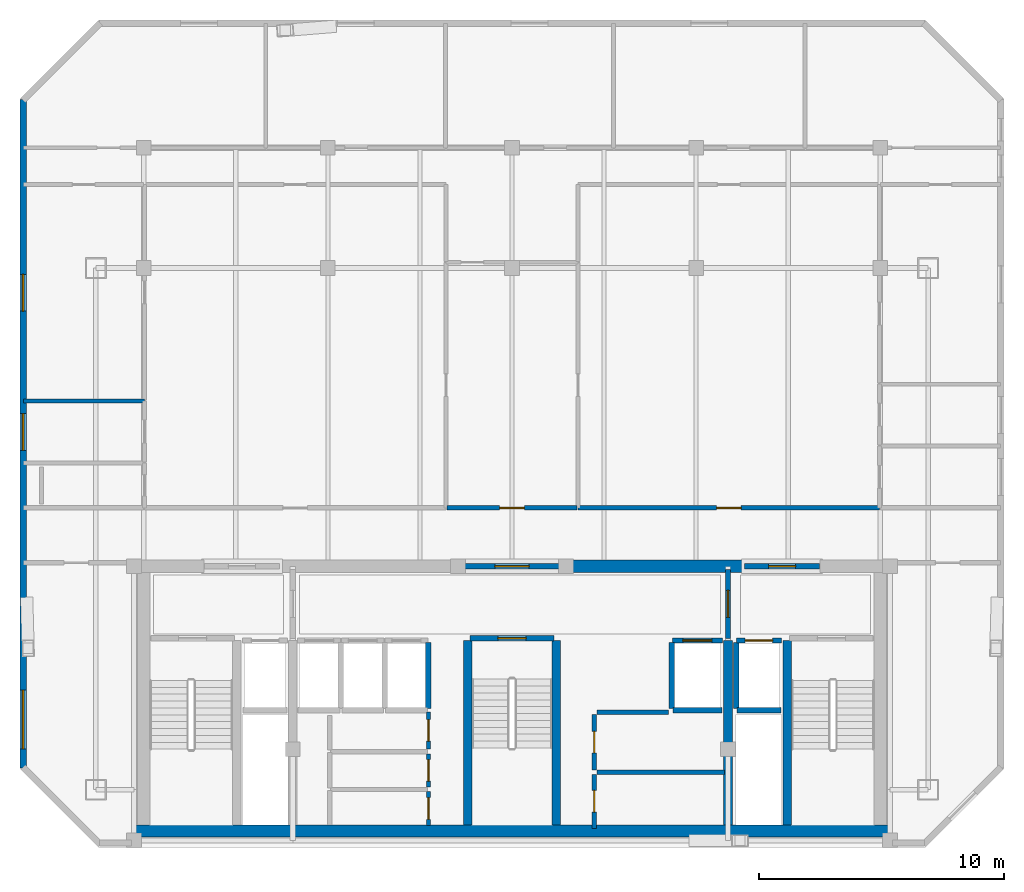
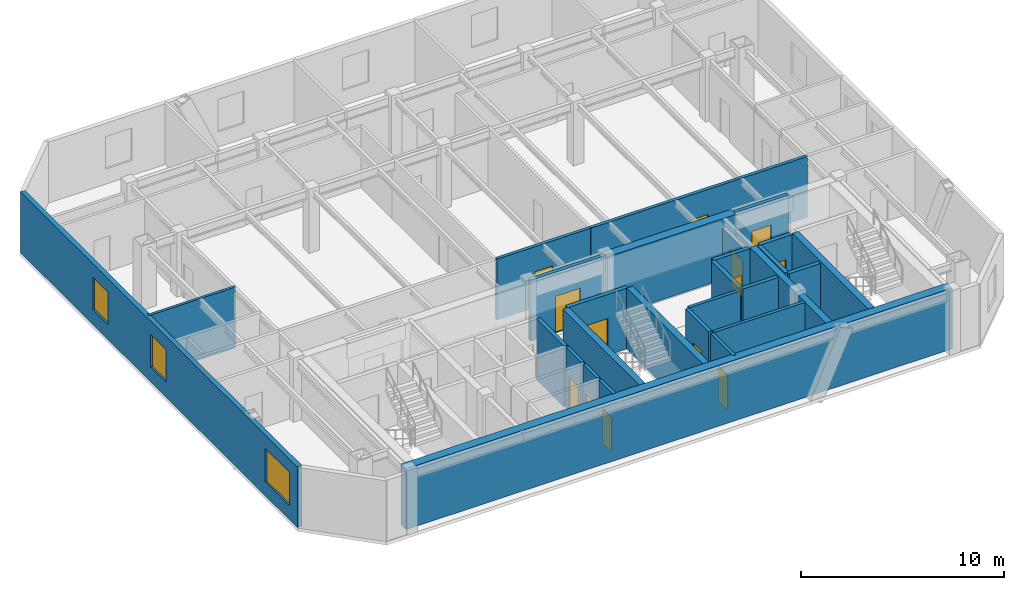
# One storey, part 3 of 6: 28 walls, 13 doors, 3 windows, 16 openings.
"""IFC4 building model written with IfcOpenShell, lengths in metres."""

from ifc_helpers import new_model, si_unit, direction, frame, frame_2d, origin, place, context, subcontext, project, spatial, rectangle, extrude, material, layer, layer_set, type_object, element, fill, save


model = new_model("IFC4")

# Units and contexts
model_context = context("Model", 3, precision=1e-05, world=origin(), true_north=direction((0.0, 1.0)))
body_context = subcontext(model_context, "Body", "Model", "MODEL_VIEW")
ifc_project = project(units=[si_unit("LENGTHUNIT", "METRE"), si_unit("AREAUNIT", "SQUARE_METRE"), si_unit("VOLUMEUNIT", "CUBIC_METRE"), si_unit("PLANEANGLEUNIT", "RADIAN"), si_unit("MASSUNIT", "GRAM", prefix="KILO")], contexts=[model_context])

# Site, building, storey
site_placement = place(None, origin())
site = spatial("IfcSite", under=ifc_project, at=site_placement, CompositionType="ELEMENT")
building_placement = place(site_placement, origin())
building = spatial("IfcBuilding", under=site, at=building_placement, Name="Ventersveld Concourse Tower", CompositionType="ELEMENT")
storey_placement = place(building_placement, frame((0.0, 0.0, 300.300048828125)))
storey = spatial("IfcBuildingStorey", under=building, at=storey_placement, Name="L74", CompositionType="ELEMENT", Elevation=300.300048828125)

# Walls
ifc_material_1 = material(Name="Concrete C50/60", Category="concrete")
ifc_layer_1 = layer(ifc_material_1, 0.35009765625)
ifc_layer_set_1 = layer_set([ifc_layer_1], Name="Concrete C50/60")
wall_type_1 = type_object("IfcWallType", Name="WL-CORE-350U", PredefinedType="SHEAR", material=ifc_layer_set_1)
for number, where, z_axis, x_axis, name in (
    (1, (26.93994140625, 0.919921875, 0.0), (0.0, 0.0, 1.0), (0.0, 1.0, 0.0), "L74 Core Internal Shear Web W-ST3-W"),
    (2, (30.56005859375, 0.919921875, 0.0), (0.0, 0.0, 1.0), (0.0, 1.0, 0.0), "L74 Core Internal Shear Web W-ST3-E"),
    (3, (37.550048828125, 0.919921875, 0.0), (0.0, 0.0, 1.0), (0.0, 1.0, 0.0), "L74 Core Internal Shear Web W-SVL-W"),
    (4, (39.9599609375, 0.919921875, 0.0), (0.0, 0.0, 1.0), (0.0, 1.0, 0.0), "L74 Core Internal Shear Web W-ST2-W"),
):
    element("IfcWall", number, at=place(storey_placement, frame(where, z_axis=z_axis, x_axis=x_axis)), inside=storey, type_object=wall_type_1, Name=name, PredefinedType="SHEAR", context=body_context, shape_type="SweptSolid", body=[
        extrude(rectangle(XDim=7.5, YDim=0.35009765625, at=frame_2d((3.75, 0.0))), origin(), (0.0, 0.0, 1.0), 3.64990234375),
    ])
ifc_layer_2 = layer(ifc_material_1, 0.5)
ifc_layer_set_2 = layer_set([ifc_layer_2], Name="Concrete C50/60")
wall_type_2 = type_object("IfcWallType", Name="WL-CORE-500", PredefinedType="SHEAR", material=ifc_layer_set_2)
wall_1_placement = place(storey_placement, frame((13.25, 0.669921875, 0.0), z_axis=(0.0, 0.0, 1.0), x_axis=(1.0, 0.0, 0.0)))
element("IfcWall", 5, at=wall_1_placement, inside=storey, type_object=wall_type_2, Name="L74 Rear Core South Shear Wall", PredefinedType="SHEAR", context=body_context, shape_type="SweptSolid", body=[
    extrude(rectangle(XDim=31.0, YDim=0.5, at=frame_2d((15.5, 0.0))), origin(), (0.0, 0.0, 1.0), 3.64990234375),
])
wall_2_placement = place(storey_placement, frame((30.89990234375, 11.449951171875, 0.0), z_axis=(0.0, 0.0, 1.0), x_axis=(1.0, 0.0, 0.0)))
element("IfcWall", 6, at=wall_2_placement, inside=storey, type_object=wall_type_2, Name="L74 Rear Core North Shear Wall NMR", PredefinedType="SHEAR", context=body_context, shape_type="SweptSolid", body=[
    extrude(rectangle(XDim=7.300048828125, YDim=0.5, at=frame_2d((3.64990234375, 0.0))), origin(), (0.0, 0.0, 1.0), 3.64990234375),
])

# Wall, opening, door
ifc_material_2 = material(Name="Fire-rated autoclaved aerated masonry blockwork", Category="masonry")
ifc_layer_3 = layer(ifc_material_2, 0.179931640625)
ifc_layer_set_3 = layer_set([ifc_layer_3], Name="Fire-rated autoclaved aerated masonry blockwork")
wall_type_3 = type_object("IfcWallType", Name="WL-CORR-180", PredefinedType="PARTITIONING", material=ifc_layer_set_3)
wall_3_placement = place(storey_placement, frame((25.35009765625, 0.89990234375, 0.0), z_axis=(0.0, 0.0, 1.0), x_axis=(0.0, 1.0, 0.0)))
wall_3 = element("IfcWall", 7, at=wall_3_placement, inside=storey, type_object=wall_type_3, Name="L74 Core Passage Wall SP-L74-RECB1S", PredefinedType="PARTITIONING", context=body_context, shape_type="SweptSolid", body=[
    extrude(rectangle(XDim=1.3701171875, YDim=0.179931640625, at=frame_2d((0.68505859375, 0.0))), origin(), (0.0, 0.0, 1.0), 3.64990234375),
])
opening_1_placement = place(wall_3_placement, frame((0.2451171875, 0.0, 0.0)))
opening_1 = element("IfcOpeningElement", 8, at=opening_1_placement, cuts=wall_3, Name="Opening FD5", PredefinedType="OPENING", context=body_context, shape_type="SweptSolid", body=[
    extrude(rectangle(XDim=0.8798828125, YDim=2.050048828125, at=frame_2d((0.43994140625, 1.02490234375))), frame((0.0, 0.10009765625, 0.0), z_axis=(0.0, -1.0, 0.0), x_axis=(1.0, 0.0, 0.0)), (0.0, 0.0, 1.0), 0.199951171875),
])
ifc_material_3 = material(Name="Galvanised painted steel", Category="steel")
door_type_1 = type_object("IfcDoorType", Name="DR-RISER-088", OperationType="NOTDEFINED", PredefinedType="DOOR", material=ifc_material_3)
door_1_placement = place(opening_1_placement, origin())
door_1 = element("IfcDoor", 9, at=door_1_placement, inside=storey, type_object=door_type_1, Name="L74 Core Room Door L74 Reclaimed Core Wine Cellar Store (CD-L74-3412)", OperationType="SINGLE_SWING_LEFT", OverallHeight=2.050048828125, OverallWidth=0.8798828125, PredefinedType="DOOR", context=body_context, shape_type="SweptSolid", body=[
    extrude(rectangle(XDim=0.8798828125, YDim=2.050048828125, at=frame_2d((0.43994140625, 1.02490234375))), frame((0.0, 0.02490234375, 0.0), z_axis=(0.0, -1.0, 0.0), x_axis=(1.0, 0.0, 0.0)), (0.0, 0.0, 1.0), 0.050048828125),
])
fill(opening_1, door_1)

wall_4_placement = place(storey_placement, frame((25.35009765625, 2.469970703125, 0.0), z_axis=(0.0, 0.0, 1.0), x_axis=(0.0, 1.0, 0.0)))
wall_4 = element("IfcWall", 10, at=wall_4_placement, inside=storey, type_object=wall_type_3, Name="L74 Core Passage Wall SP-L74-RECB1M", PredefinedType="PARTITIONING", context=body_context, shape_type="SweptSolid", body=[
    extrude(rectangle(XDim=1.340087890625, YDim=0.179931640625, at=frame_2d((0.669921875, 0.0))), origin(), (0.0, 0.0, 1.0), 3.64990234375),
])
opening_2_placement = place(wall_4_placement, frame((0.22998046875, 0.0, 0.0)))
opening_2 = element("IfcOpeningElement", 11, at=opening_2_placement, cuts=wall_4, Name="Opening FD5", PredefinedType="OPENING", context=body_context, shape_type="SweptSolid", body=[
    extrude(rectangle(XDim=0.8798828125, YDim=2.050048828125, at=frame_2d((0.43994140625, 1.02490234375))), frame((0.0, 0.10009765625, 0.0), z_axis=(0.0, -1.0, 0.0), x_axis=(1.0, 0.0, 0.0)), (0.0, 0.0, 1.0), 0.199951171875),
])
door_2_placement = place(opening_2_placement, origin())
door_2 = element("IfcDoor", 12, at=door_2_placement, inside=storey, type_object=door_type_1, Name="L74 Core Room Door L74 Reclaimed Core Archive Store (CD-L74-3413)", OperationType="SINGLE_SWING_RIGHT", OverallHeight=2.050048828125, OverallWidth=0.8798828125, PredefinedType="DOOR", context=body_context, shape_type="SweptSolid", body=[
    extrude(rectangle(XDim=0.8798828125, YDim=2.050048828125, at=frame_2d((0.43994140625, 1.02490234375))), frame((0.0, 0.02490234375, 0.0), z_axis=(0.0, -1.0, 0.0), x_axis=(1.0, 0.0, 0.0)), (0.0, 0.0, 1.0), 0.050048828125),
])
fill(opening_2, door_2)

wall_5_placement = place(storey_placement, frame((25.35009765625, 4.010009765625, 0.0), z_axis=(0.0, 0.0, 1.0), x_axis=(0.0, 1.0, 0.0)))
wall_5 = element("IfcWall", 13, at=wall_5_placement, inside=storey, type_object=wall_type_3, Name="L74 Core Passage Wall SP-L74-RECB1N", PredefinedType="PARTITIONING", context=body_context, shape_type="SweptSolid", body=[
    extrude(rectangle(XDim=1.510009765625, YDim=0.179931640625, at=frame_2d((0.7548828125, 0.0))), origin(), (0.0, 0.0, 1.0), 3.64990234375),
])
opening_3_placement = place(wall_5_placement, frame((0.31494140625, 0.0, 0.0)))
opening_3 = element("IfcOpeningElement", 14, at=opening_3_placement, cuts=wall_5, Name="Opening FD5", PredefinedType="OPENING", context=body_context, shape_type="SweptSolid", body=[
    extrude(rectangle(XDim=0.8798828125, YDim=2.050048828125, at=frame_2d((0.43994140625, 1.02490234375))), frame((0.0, 0.10009765625, 0.0), z_axis=(0.0, -1.0, 0.0), x_axis=(1.0, 0.0, 0.0)), (0.0, 0.0, 1.0), 0.199951171875),
])
door_3_placement = place(opening_3_placement, origin())
door_3 = element("IfcDoor", 15, at=door_3_placement, inside=storey, type_object=door_type_1, Name="L74 Core Room Door L74 Reclaimed Core Pram and Cycle Store (CD-L74-3414)", OperationType="SINGLE_SWING_LEFT", OverallHeight=2.050048828125, OverallWidth=0.8798828125, PredefinedType="DOOR", context=body_context, shape_type="SweptSolid", body=[
    extrude(rectangle(XDim=0.8798828125, YDim=2.050048828125, at=frame_2d((0.43994140625, 1.02490234375))), frame((0.0, 0.02490234375, 0.0), z_axis=(0.0, -1.0, 0.0), x_axis=(1.0, 0.0, 0.0)), (0.0, 0.0, 1.0), 0.050048828125),
])
fill(opening_3, door_3)

wall_6_placement = place(storey_placement, frame((32.10009765625, 0.780029296875, 0.0), z_axis=(0.0, 0.0, 1.0), x_axis=(0.0, 1.0, 0.0)))
wall_6 = element("IfcWall", 16, at=wall_6_placement, inside=storey, type_object=wall_type_3, Name="L74 Core Passage Wall SP-L74-RECB2S", PredefinedType="PARTITIONING", context=body_context, shape_type="SweptSolid", body=[
    extrude(rectangle(XDim=2.199951171875, YDim=0.179931640625, at=frame_2d((1.10009765625, 0.0))), origin(), (0.0, 0.0, 1.0), 3.64990234375),
])
opening_4_placement = place(wall_6_placement, frame((0.659912109375, 0.0, 0.0)))
opening_4 = element("IfcOpeningElement", 17, at=opening_4_placement, cuts=wall_6, Name="Opening FD5", PredefinedType="OPENING", context=body_context, shape_type="SweptSolid", body=[
    extrude(rectangle(XDim=0.8798828125, YDim=2.050048828125, at=frame_2d((0.43994140625, 1.02490234375))), frame((0.0, 0.10009765625, 0.0), z_axis=(0.0, -1.0, 0.0), x_axis=(1.0, 0.0, 0.0)), (0.0, 0.0, 1.0), 0.199951171875),
])
door_4_placement = place(opening_4_placement, origin())
door_4 = element("IfcDoor", 18, at=door_4_placement, inside=storey, type_object=door_type_1, Name="L74 Core Room Door L74 Reclaimed Core Quiet Library Pod (CD-L74-3415)", OperationType="SINGLE_SWING_RIGHT", OverallHeight=2.050048828125, OverallWidth=0.8798828125, PredefinedType="DOOR", context=body_context, shape_type="SweptSolid", body=[
    extrude(rectangle(XDim=0.8798828125, YDim=2.050048828125, at=frame_2d((0.43994140625, 1.02490234375))), frame((0.0, 0.02490234375, 0.0), z_axis=(0.0, -1.0, 0.0), x_axis=(1.0, 0.0, 0.0)), (0.0, 0.0, 1.0), 0.050048828125),
])
fill(opening_4, door_4)

# Wall
wall_7_placement = place(storey_placement, frame((32.219970703125, 3.06005859375, 0.0), z_axis=(0.0, 0.0, 1.0), x_axis=(1.0, 0.0, 0.0)))
element("IfcWall", 19, at=wall_7_placement, inside=storey, type_object=wall_type_3, Name="L74 Core Top Wall SP-L74-RECB2S", PredefinedType="PARTITIONING", context=body_context, shape_type="SweptSolid", body=[
    extrude(rectangle(XDim=5.179931640625, YDim=0.179931640625, at=frame_2d((2.58984375, 0.0))), origin(), (0.0, 0.0, 1.0), 3.64990234375),
])

# Wall, opening, door
wall_8_placement = place(storey_placement, frame((32.10009765625, 3.159912109375, 0.0), z_axis=(0.0, 0.0, 1.0), x_axis=(0.0, 1.0, 0.0)))
wall_8 = element("IfcWall", 20, at=wall_8_placement, inside=storey, type_object=wall_type_3, Name="L74 Core Passage Wall SP-L74-RECB2N", PredefinedType="PARTITIONING", context=body_context, shape_type="SweptSolid", body=[
    extrude(rectangle(XDim=2.260009765625, YDim=0.179931640625, at=frame_2d((1.1298828125, 0.0))), origin(), (0.0, 0.0, 1.0), 3.64990234375),
])
opening_5_placement = place(wall_8_placement, frame((0.68994140625, 0.0, 0.0)))
opening_5 = element("IfcOpeningElement", 21, at=opening_5_placement, cuts=wall_8, Name="Opening FD5", PredefinedType="OPENING", context=body_context, shape_type="SweptSolid", body=[
    extrude(rectangle(XDim=0.8798828125, YDim=2.050048828125, at=frame_2d((0.43994140625, 1.02490234375))), frame((0.0, 0.10009765625, 0.0), z_axis=(0.0, -1.0, 0.0), x_axis=(1.0, 0.0, 0.0)), (0.0, 0.0, 1.0), 0.199951171875),
])
door_5_placement = place(opening_5_placement, origin())
door_5 = element("IfcDoor", 22, at=door_5_placement, inside=storey, type_object=door_type_1, Name="L74 Core Room Door L74 Reclaimed Core Music Practice Room (CD-L74-3416)", OperationType="SINGLE_SWING_LEFT", OverallHeight=2.050048828125, OverallWidth=0.8798828125, PredefinedType="DOOR", context=body_context, shape_type="SweptSolid", body=[
    extrude(rectangle(XDim=0.8798828125, YDim=2.050048828125, at=frame_2d((0.43994140625, 1.02490234375))), frame((0.0, 0.02490234375, 0.0), z_axis=(0.0, -1.0, 0.0), x_axis=(1.0, 0.0, 0.0)), (0.0, 0.0, 1.0), 0.050048828125),
])
fill(opening_5, door_5)

# Wall
wall_9_placement = place(storey_placement, frame((32.219970703125, 5.5, 0.0), z_axis=(0.0, 0.0, 1.0), x_axis=(1.0, 0.0, 0.0)))
element("IfcWall", 23, at=wall_9_placement, inside=storey, type_object=wall_type_3, Name="L74 Core Top Wall SP-L74-RECB2N", PredefinedType="PARTITIONING", context=body_context, shape_type="SweptSolid", body=[
    extrude(rectangle(XDim=2.900146484375, YDim=0.179931640625, at=frame_2d((1.4501953125, 0.0))), origin(), (0.0, 0.0, 1.0), 3.64990234375),
])

# Wall, opening, door
wall_10_placement = place(storey_placement, frame((31.43505859375, 13.830078125, 0.0), z_axis=(0.0, 0.0, 1.0), x_axis=(1.0, 0.0, 0.0)))
wall_10 = element("IfcWall", 24, at=wall_10_placement, inside=storey, type_object=wall_type_3, Name="L74 Interior Partition SP-L74-COR-SP-L74-74N1-EGAL1", PredefinedType="PARTITIONING", context=body_context, shape_type="SweptSolid", body=[
    extrude(rectangle(XDim=12.291259765625, YDim=0.179931640625, at=frame_2d((6.1455078125, 0.0))), origin(), (0.0, 0.0, 1.0), 3.64990234375),
])
opening_6_placement = place(wall_10_placement, frame((5.645751953125, 0.0, 0.0)))
opening_6 = element("IfcOpeningElement", 25, at=opening_6_placement, cuts=wall_10, Name="Opening FD3", PredefinedType="OPENING", context=body_context, shape_type="SweptSolid", body=[
    extrude(rectangle(XDim=1.0, YDim=2.14990234375, at=frame_2d((0.5, 1.074951171875))), frame((0.0, 0.10009765625, 0.0), z_axis=(0.0, -1.0, 0.0), x_axis=(1.0, 0.0, 0.0)), (0.0, 0.0, 1.0), 0.199951171875),
])
ifc_material_4 = material(Name="Solid-core hardwood veneer timber", Category="wood")
door_type_2 = type_object("IfcDoorType", Name="DR-FLAT-100", OperationType="NOTDEFINED", PredefinedType="DOOR", material=ifc_material_4)
door_6_placement = place(opening_6_placement, origin())
door_6 = element("IfcDoor", 26, at=door_6_placement, inside=storey, type_object=door_type_2, Name="L74 Interior Door SP-L74-COR to SP-L74-74N1-EGAL1 (FD-L74-3420)", OperationType="SINGLE_SWING_RIGHT", OverallHeight=2.14990234375, OverallWidth=1.0, PredefinedType="DOOR", context=body_context, shape_type="SweptSolid", body=[
    extrude(rectangle(XDim=1.0, YDim=2.14990234375, at=frame_2d((0.5, 1.074951171875))), frame((0.0, 0.02490234375, 0.0), z_axis=(0.0, -1.0, 0.0), x_axis=(1.0, 0.0, 0.0)), (0.0, 0.0, 1.0), 0.050048828125),
])
fill(opening_6, door_6)

wall_11_placement = place(storey_placement, frame((26.094970703125, 13.830078125, 0.0), z_axis=(0.0, 0.0, 1.0), x_axis=(1.0, 0.0, 0.0)))
wall_11 = element("IfcWall", 27, at=wall_11_placement, inside=storey, type_object=wall_type_3, Name="L74 Interior Partition SP-L74-COR-SP-L74-74N1-FOY", PredefinedType="PARTITIONING", context=body_context, shape_type="SweptSolid", body=[
    extrude(rectangle(XDim=5.31005859375, YDim=0.179931640625, at=frame_2d((2.655029296875, 0.0))), origin(), (0.0, 0.0, 1.0), 3.64990234375),
])
opening_7_placement = place(wall_11_placement, frame((2.155029296875, 0.0, 0.0)))
opening_7 = element("IfcOpeningElement", 28, at=opening_7_placement, cuts=wall_11, Name="Opening FD3", PredefinedType="OPENING", context=body_context, shape_type="SweptSolid", body=[
    extrude(rectangle(XDim=1.0, YDim=2.14990234375, at=frame_2d((0.5, 1.074951171875))), frame((0.0, 0.10009765625, 0.0), z_axis=(0.0, -1.0, 0.0), x_axis=(1.0, 0.0, 0.0)), (0.0, 0.0, 1.0), 0.199951171875),
])
door_7_placement = place(opening_7_placement, origin())
door_7 = element("IfcDoor", 29, at=door_7_placement, inside=storey, type_object=door_type_2, Name="L74 Interior Door SP-L74-COR to SP-L74-74N1-FOY (FD-L74-3421)", OperationType="SINGLE_SWING_LEFT", OverallHeight=2.14990234375, OverallWidth=1.0, PredefinedType="DOOR", context=body_context, shape_type="SweptSolid", body=[
    extrude(rectangle(XDim=1.0, YDim=2.14990234375, at=frame_2d((0.5, 1.074951171875))), frame((0.0, 0.02490234375, 0.0), z_axis=(0.0, -1.0, 0.0), x_axis=(1.0, 0.0, 0.0)), (0.0, 0.0, 1.0), 0.050048828125),
])
fill(opening_7, door_7)

# Walls
ifc_layer_4 = layer(ifc_material_2, 0.219970703125)
ifc_layer_set_4 = layer_set([ifc_layer_4], Name="Fire-rated autoclaved aerated masonry blockwork")
wall_type_4 = type_object("IfcWallType", Name="WL-HOIST-220", PredefinedType="SOLIDWALL", material=ifc_layer_set_4)
wall_12_placement = place(storey_placement, frame((37.919921875, 5.590087890625, 0.0), z_axis=(0.0, 0.0, 1.0), x_axis=(1.0, 0.0, 0.0)))
element("IfcWall", 30, at=wall_12_placement, inside=storey, type_object=wall_type_4, Name="L74 Lift Hoistway Back Wall FFL-02", PredefinedType="SOLIDWALL", context=body_context, shape_type="SweptSolid", body=[
    extrude(rectangle(XDim=1.780029296875, YDim=0.219970703125, at=frame_2d((0.89013671875, 0.0))), origin(), (0.0, 0.0, 1.0), 3.64990234375),
])
wall_13_placement = place(storey_placement, frame((37.8798828125, 5.64990234375, 0.0), z_axis=(0.0, 0.0, 1.0), x_axis=(0.0, 1.0, 0.0)))
element("IfcWall", 31, at=wall_13_placement, inside=storey, type_object=wall_type_4, Name="L74 Lift Hoistway Side Wall FFL-02W", PredefinedType="SOLIDWALL", context=body_context, shape_type="SweptSolid", body=[
    extrude(rectangle(XDim=2.7001953125, YDim=0.219970703125, at=frame_2d((1.35009765625, 0.0))), origin(), (0.0, 0.0, 1.0), 3.64990234375),
])

# Wall, opening, door
wall_14_placement = place(storey_placement, frame((37.89990234375, 8.429931640625, 0.0), z_axis=(0.0, 0.0, 1.0), x_axis=(1.0, 0.0, 0.0)))
wall_14 = element("IfcWall", 32, at=wall_14_placement, inside=storey, type_object=wall_type_4, Name="L74 Lift Hoistway Front Wall FFL-02", PredefinedType="SOLIDWALL", context=body_context, shape_type="SweptSolid", body=[
    extrude(rectangle(XDim=1.820068359375, YDim=0.219970703125, at=frame_2d((0.91015625, 0.0))), origin(), (0.0, 0.0, 1.0), 3.64990234375),
])
opening_8_placement = place(wall_14_placement, frame((0.35009765625, 0.0, 0.0)))
opening_8 = element("IfcOpeningElement", 33, at=opening_8_placement, cuts=wall_14, Name="Opening LD1", PredefinedType="OPENING", context=body_context, shape_type="SweptSolid", body=[
    extrude(rectangle(XDim=1.1201171875, YDim=2.25, at=frame_2d((0.56005859375, 1.125))), frame((0.0, 0.1201171875, 0.0), z_axis=(0.0, -1.0, 0.0), x_axis=(1.0, 0.0, 0.0)), (0.0, 0.0, 1.0), 0.239990234375),
])
ifc_material_5 = material(Name="Brushed stainless steel 316", Category="steel")
door_type_3 = type_object("IfcDoorType", Name="LD-FF-112", OperationType="SLIDING_TO_LEFT", PredefinedType="DOOR", material=ifc_material_5)
door_8_placement = place(opening_8_placement, origin())
door_8 = element("IfcDoor", 34, at=door_8_placement, inside=storey, type_object=door_type_3, Name="L74 Lift landing door FFL-02 (LD-L74-FFL-02)", OperationType="SLIDING_TO_LEFT", OverallHeight=2.25, OverallWidth=1.1201171875, PredefinedType="DOOR", context=body_context, shape_type="SweptSolid", body=[
    extrude(rectangle(XDim=1.1201171875, YDim=2.25, at=frame_2d((0.56005859375, 1.125))), frame((0.0, 0.02490234375, 0.0), z_axis=(0.0, -1.0, 0.0), x_axis=(1.0, 0.0, 0.0)), (0.0, 0.0, 1.0), 0.050048828125),
])
fill(opening_8, door_8)

# Walls
wall_15_placement = place(storey_placement, frame((35.300048828125, 5.590087890625, 0.0), z_axis=(0.0, 0.0, 1.0), x_axis=(1.0, 0.0, 0.0)))
element("IfcWall", 35, at=wall_15_placement, inside=storey, type_object=wall_type_4, Name="L74 Lift Hoistway Back Wall SVL-01", PredefinedType="SOLIDWALL", context=body_context, shape_type="SweptSolid", body=[
    extrude(rectangle(XDim=2.0, YDim=0.219970703125, at=frame_2d((1.0, 0.0))), origin(), (0.0, 0.0, 1.0), 3.64990234375),
])
wall_16_placement = place(storey_placement, frame((35.260009765625, 5.64990234375, 0.0), z_axis=(0.0, 0.0, 1.0), x_axis=(0.0, 1.0, 0.0)))
element("IfcWall", 36, at=wall_16_placement, inside=storey, type_object=wall_type_4, Name="L74 Lift Hoistway Side Wall SVL-01W", PredefinedType="SOLIDWALL", context=body_context, shape_type="SweptSolid", body=[
    extrude(rectangle(XDim=2.7001953125, YDim=0.219970703125, at=frame_2d((1.35009765625, 0.0))), origin(), (0.0, 0.0, 1.0), 3.64990234375),
])

# Wall, opening, door
wall_17_placement = place(storey_placement, frame((35.280029296875, 8.429931640625, 0.0), z_axis=(0.0, 0.0, 1.0), x_axis=(1.0, 0.0, 0.0)))
wall_17 = element("IfcWall", 37, at=wall_17_placement, inside=storey, type_object=wall_type_4, Name="L74 Lift Hoistway Front Wall SVL-01", PredefinedType="SOLIDWALL", context=body_context, shape_type="SweptSolid", body=[
    extrude(rectangle(XDim=2.0400390625, YDim=0.219970703125, at=frame_2d((1.02001953125, 0.0))), origin(), (0.0, 0.0, 1.0), 3.64990234375),
])
opening_9_placement = place(wall_17_placement, frame((0.429931640625, 0.0, 0.0)))
opening_9 = element("IfcOpeningElement", 38, at=opening_9_placement, cuts=wall_17, Name="Opening LD2", PredefinedType="OPENING", context=body_context, shape_type="SweptSolid", body=[
    extrude(rectangle(XDim=1.179931640625, YDim=2.199951171875, at=frame_2d((0.58984375, 1.10009765625))), frame((0.0, 0.1201171875, 0.0), z_axis=(0.0, -1.0, 0.0), x_axis=(1.0, 0.0, 0.0)), (0.0, 0.0, 1.0), 0.239990234375),
])
door_type_4 = type_object("IfcDoorType", Name="LD-PAX-118", OperationType="SLIDING_TO_LEFT", PredefinedType="DOOR", material=ifc_material_5)
door_9_placement = place(opening_9_placement, origin())
door_9 = element("IfcDoor", 39, at=door_9_placement, inside=storey, type_object=door_type_4, Name="L74 Lift landing door SVL-01 (LD-L74-SVL-01)", OperationType="SLIDING_TO_RIGHT", OverallHeight=2.199951171875, OverallWidth=1.179931640625, PredefinedType="DOOR", context=body_context, shape_type="SweptSolid", body=[
    extrude(rectangle(XDim=1.179931640625, YDim=2.199951171875, at=frame_2d((0.58984375, 1.10009765625))), frame((0.0, 0.02490234375, 0.0), z_axis=(0.0, -1.0, 0.0), x_axis=(1.0, 0.0, 0.0)), (0.0, 0.0, 1.0), 0.050048828125),
])
fill(opening_9, door_9)

# Wall
wall_18_placement = place(storey_placement, frame((25.340087890625, 5.64990234375, 0.0), z_axis=(0.0, 0.0, 1.0), x_axis=(0.0, 1.0, 0.0)))
element("IfcWall", 40, at=wall_18_placement, inside=storey, type_object=wall_type_4, Name="L74 Lift Hoistway Side Wall PH-03E", PredefinedType="SOLIDWALL", context=body_context, shape_type="SweptSolid", body=[
    extrude(rectangle(XDim=2.7001953125, YDim=0.219970703125, at=frame_2d((1.35009765625, 0.0))), origin(), (0.0, 0.0, 1.0), 3.64990234375),
])

# Wall, opening, door
wall_19_placement = place(storey_placement, frame((27.0400390625, 8.52001953125, 0.0), z_axis=(0.0, 0.0, 1.0), x_axis=(1.0, 0.0, 0.0)))
wall_19 = element("IfcWall", 41, at=wall_19_placement, inside=storey, type_object=wall_type_4, Name="L74 Escape Stair ST03 Fire Wall", PredefinedType="SOLIDWALL", context=body_context, shape_type="SweptSolid", body=[
    extrude(rectangle(XDim=3.419921875, YDim=0.219970703125, at=frame_2d((1.7099609375, 0.0))), origin(), (0.0, 0.0, 1.0), 3.64990234375),
])
opening_10_placement = place(wall_19_placement, frame((1.135009765625, 0.0, 0.0)))
opening_10 = element("IfcOpeningElement", 42, at=opening_10_placement, cuts=wall_19, Name="Opening FD1", PredefinedType="OPENING", context=body_context, shape_type="SweptSolid", body=[
    extrude(rectangle(XDim=1.14990234375, YDim=2.199951171875, at=frame_2d((0.574951171875, 1.10009765625))), frame((0.0, 0.1201171875, 0.0), z_axis=(0.0, -1.0, 0.0), x_axis=(1.0, 0.0, 0.0)), (0.0, 0.0, 1.0), 0.239990234375),
])
door_type_5 = type_object("IfcDoorType", Name="DR-STAIR-115", OperationType="NOTDEFINED", PredefinedType="DOOR", material=ifc_material_3)
door_10_placement = place(opening_10_placement, origin())
door_10 = element("IfcDoor", 43, at=door_10_placement, inside=storey, type_object=door_type_5, Name="L74 Escape Stair Door ST03 (SD-L74-3406)", OperationType="SINGLE_SWING_LEFT", OverallHeight=2.199951171875, OverallWidth=1.14990234375, PredefinedType="DOOR", context=body_context, shape_type="SweptSolid", body=[
    extrude(rectangle(XDim=1.14990234375, YDim=2.199951171875, at=frame_2d((0.574951171875, 1.10009765625))), frame((0.0, 0.02490234375, 0.0), z_axis=(0.0, -1.0, 0.0), x_axis=(1.0, 0.0, 0.0)), (0.0, 0.0, 1.0), 0.050048828125),
])
fill(opening_10, door_10)

wall_20_placement = place(storey_placement, frame((37.550048828125, 8.52001953125, 0.0), z_axis=(0.0, 0.0, 1.0), x_axis=(0.0, 1.0, 0.0)))
wall_20 = element("IfcWall", 44, at=wall_20_placement, inside=storey, type_object=wall_type_4, Name="L74 Firefighting Lobby Smoke-Stop Wall FFLE-SEP", PredefinedType="SOLIDWALL", context=body_context, shape_type="SweptSolid", body=[
    extrude(rectangle(XDim=2.800048828125, YDim=0.219970703125, at=frame_2d((1.39990234375, 0.0))), origin(), (0.0, 0.0, 1.0), 3.10546875),
])
opening_11_placement = place(wall_20_placement, frame((0.85009765625, 0.0, 0.0)))
opening_11 = element("IfcOpeningElement", 45, at=opening_11_placement, cuts=wall_20, Name="Opening FD2", PredefinedType="OPENING", context=body_context, shape_type="SweptSolid", body=[
    extrude(rectangle(XDim=1.10009765625, YDim=2.199951171875, at=frame_2d((0.550048828125, 1.10009765625))), frame((0.0, 0.1201171875, 0.0), z_axis=(0.0, -1.0, 0.0), x_axis=(1.0, 0.0, 0.0)), (0.0, 0.0, 1.0), 0.239990234375),
])
door_type_6 = type_object("IfcDoorType", Name="DR-FFL-110", OperationType="NOTDEFINED", PredefinedType="DOOR", material=ifc_material_3)
door_11_placement = place(opening_11_placement, origin())
door_11 = element("IfcDoor", 46, at=door_11_placement, inside=storey, type_object=door_type_6, Name="L74 Firefighting Lobby Door FFLE-SEP (FD-L74-3408)", OperationType="SINGLE_SWING_RIGHT", OverallHeight=2.199951171875, OverallWidth=1.10009765625, PredefinedType="DOOR", context=body_context, shape_type="SweptSolid", body=[
    extrude(rectangle(XDim=1.10009765625, YDim=2.199951171875, at=frame_2d((0.550048828125, 1.10009765625))), frame((0.0, 0.02490234375, 0.0), z_axis=(0.0, -1.0, 0.0), x_axis=(1.0, 0.0, 0.0)), (0.0, 0.0, 1.0), 0.050048828125),
])
fill(opening_11, door_11)

wall_21_placement = place(storey_placement, frame((26.6298828125, 11.449951171875, 0.0), z_axis=(0.0, 0.0, 1.0), x_axis=(1.0, 0.0, 0.0)))
wall_21 = element("IfcWall", 47, at=wall_21_placement, inside=storey, type_object=wall_type_4, Name="L74 Core North Fire Portal PLOB-OUT", PredefinedType="SOLIDWALL", context=body_context, shape_type="SweptSolid", body=[
    extrude(rectangle(XDim=4.240234375, YDim=0.219970703125, at=frame_2d((2.1201171875, 0.0))), origin(), (0.0, 0.0, 1.0), 3.64990234375),
])
opening_12_placement = place(wall_21_placement, frame((1.419921875, 0.0, 0.0)))
opening_12 = element("IfcOpeningElement", 48, at=opening_12_placement, cuts=wall_21, Name="Opening FD4", PredefinedType="OPENING", context=body_context, shape_type="SweptSolid", body=[
    extrude(rectangle(XDim=1.39990234375, YDim=2.199951171875, at=frame_2d((0.699951171875, 1.10009765625))), frame((0.0, 0.1201171875, 0.0), z_axis=(0.0, -1.0, 0.0), x_axis=(1.0, 0.0, 0.0)), (0.0, 0.0, 1.0), 0.239990234375),
])
door_type_7 = type_object("IfcDoorType", Name="DR-PLANT-140", OperationType="DOUBLE_DOOR_SINGLE_SWING", PredefinedType="DOOR", material=ifc_material_3)
door_12_placement = place(opening_12_placement, origin())
door_12 = element("IfcDoor", 49, at=door_12_placement, inside=storey, type_object=door_type_7, Name="L74 Core Lobby Fire Door PLOB-OUT (FD-L74-3410)", OperationType="DOUBLE_DOOR_SINGLE_SWING", OverallHeight=2.199951171875, OverallWidth=1.39990234375, PredefinedType="DOOR", context=body_context, shape_type="SweptSolid", body=[
    extrude(rectangle(XDim=1.39990234375, YDim=2.199951171875, at=frame_2d((0.699951171875, 1.10009765625))), frame((0.0, 0.02490234375, 0.0), z_axis=(0.0, -1.0, 0.0), x_axis=(1.0, 0.0, 0.0)), (0.0, 0.0, 1.0), 0.050048828125),
])
fill(opening_12, door_12)

wall_22_placement = place(storey_placement, frame((38.22998046875, 11.449951171875, 0.0), z_axis=(0.0, 0.0, 1.0), x_axis=(1.0, 0.0, 0.0)))
wall_22 = element("IfcWall", 50, at=wall_22_placement, inside=storey, type_object=wall_type_4, Name="L74 Core North Fire Portal FFLE-OUT", PredefinedType="SOLIDWALL", context=body_context, shape_type="SweptSolid", body=[
    extrude(rectangle(XDim=3.0400390625, YDim=0.219970703125, at=frame_2d((1.52001953125, 0.0))), origin(), (0.0, 0.0, 1.0), 3.64990234375),
])
opening_13_placement = place(wall_22_placement, frame((0.969970703125, 0.0, 0.0)))
opening_13 = element("IfcOpeningElement", 51, at=opening_13_placement, cuts=wall_22, Name="Opening FD2", PredefinedType="OPENING", context=body_context, shape_type="SweptSolid", body=[
    extrude(rectangle(XDim=1.10009765625, YDim=2.199951171875, at=frame_2d((0.550048828125, 1.10009765625))), frame((0.0, 0.1201171875, 0.0), z_axis=(0.0, -1.0, 0.0), x_axis=(1.0, 0.0, 0.0)), (0.0, 0.0, 1.0), 0.239990234375),
])
door_13_placement = place(opening_13_placement, origin())
door_13 = element("IfcDoor", 52, at=door_13_placement, inside=storey, type_object=door_type_6, Name="L74 Core Lobby Fire Door FFLE-OUT (FD-L74-3411)", OperationType="SINGLE_SWING_LEFT", OverallHeight=2.199951171875, OverallWidth=1.10009765625, PredefinedType="DOOR", context=body_context, shape_type="SweptSolid", body=[
    extrude(rectangle(XDim=1.10009765625, YDim=2.199951171875, at=frame_2d((0.550048828125, 1.10009765625))), frame((0.0, 0.02490234375, 0.0), z_axis=(0.0, -1.0, 0.0), x_axis=(1.0, 0.0, 0.0)), (0.0, 0.0, 1.0), 0.050048828125),
])
fill(opening_13, door_13)

# Wall
ifc_material_6 = material(Name="Autoclaved aerated masonry blockwork", Category="masonry")
ifc_layer_5 = layer(ifc_material_6, 0.14990234375)
ifc_layer_set_5 = layer_set([ifc_layer_5], Name="Autoclaved aerated masonry blockwork")
wall_type_5 = type_object("IfcWallType", Name="WL-INT-150", PredefinedType="PARTITIONING", material=ifc_layer_set_5)
wall_23_placement = place(storey_placement, frame((8.858154296875, 18.181396484375, 0.0), z_axis=(0.0, 0.0, 1.0), x_axis=(1.0, 0.0, 0.0)))
element("IfcWall", 53, at=wall_23_placement, inside=storey, type_object=wall_type_5, Name="L74 Interior Partition SP-L74-74N1-PANL2-SP-L74-74N1-OFFL0", PredefinedType="PARTITIONING", context=body_context, shape_type="SweptSolid", body=[
    extrude(rectangle(XDim=4.925537109375, YDim=0.14990234375, at=frame_2d((2.462890625, 0.0))), origin(), (0.0, 0.0, 1.0), 3.64990234375),
])

# Wall, openings, windows
ifc_material_7 = material(Name="Precast concrete C45/55", Category="concrete")
ifc_layer_6 = layer(ifc_material_7, 0.260009765625)
ifc_layer_set_6 = layer_set([ifc_layer_6], Name="Precast concrete C45/55")
wall_type_6 = type_object("IfcWallType", Name="WL-PREC-260", PredefinedType="SOLIDWALL", material=ifc_layer_set_6)
wall_24_placement = place(storey_placement, frame((8.838623046875, 30.46435546875, 0.0), z_axis=(0.0, 0.0, 1.0), x_axis=(0.0, -1.0, 0.0)))
wall_24 = element("IfcWall", 54, at=wall_24_placement, inside=storey, type_object=wall_type_6, Name="L74 Highveld Precast Facade Wall E07", PredefinedType="SOLIDWALL", context=body_context, shape_type="SweptSolid", body=[
    extrude(rectangle(XDim=27.224365234375, YDim=0.260009765625, at=frame_2d((13.6123046875, 0.0))), origin(), (0.0, 0.0, 1.0), 3.64990234375),
])
opening_14_placement = place(wall_24_placement, frame((24.054443359375, 0.0, 0.85009765625)))
opening_14 = element("IfcOpeningElement", 55, at=opening_14_placement, cuts=wall_24, Name="Opening W5", PredefinedType="OPENING", context=body_context, shape_type="SweptSolid", body=[
    extrude(rectangle(XDim=2.39990234375, YDim=2.0, at=frame_2d((1.199951171875, 1.0))), frame((0.0, 0.14013671875, 0.0), z_axis=(0.0, -1.0, 0.0), x_axis=(1.0, 0.0, 0.0)), (0.0, 0.0, 1.0), 0.280029296875),
])
opening_15_placement = place(wall_24_placement, frame((12.793701171875, 0.0, 0.89990234375)))
opening_15 = element("IfcOpeningElement", 56, at=opening_15_placement, cuts=wall_24, Name="Opening W1", PredefinedType="OPENING", context=body_context, shape_type="SweptSolid", body=[
    extrude(rectangle(XDim=1.5, YDim=1.949951171875, at=frame_2d((0.75, 0.97509765625))), frame((0.0, 0.14013671875, 0.0), z_axis=(0.0, -1.0, 0.0), x_axis=(1.0, 0.0, 0.0)), (0.0, 0.0, 1.0), 0.280029296875),
])
opening_16_placement = place(wall_24_placement, frame((7.12353515625, 0.0, 0.89990234375)))
opening_16 = element("IfcOpeningElement", 57, at=opening_16_placement, cuts=wall_24, Name="Opening W1", PredefinedType="OPENING", context=body_context, shape_type="SweptSolid", body=[
    extrude(rectangle(XDim=1.5, YDim=1.949951171875, at=frame_2d((0.75, 0.97509765625))), frame((0.0, 0.14013671875, 0.0), z_axis=(0.0, -1.0, 0.0), x_axis=(1.0, 0.0, 0.0)), (0.0, 0.0, 1.0), 0.280029296875),
])
ifc_material_8 = material(Name="Tempered acoustic Low-E IGU", Category="glass")
window_type_1 = type_object("IfcWindowType", Name="WIN-150x210", PartitioningType="SINGLE_PANEL", PredefinedType="WINDOW", material=ifc_material_8)
window_1_placement = place(opening_15_placement, origin())
window_1 = element("IfcWindow", 58, at=window_1_placement, inside=storey, type_object=window_type_1, Name="L74 Punched Low-E Window W-1052", OverallHeight=1.949951171875, OverallWidth=1.5, PartitioningType="SINGLE_PANEL", PredefinedType="WINDOW", context=body_context, shape_type="SweptSolid", body=[
    extrude(rectangle(XDim=1.5, YDim=1.949951171875, at=frame_2d((0.75, 0.97509765625))), frame((0.0, 0.030029296875, 0.0), z_axis=(0.0, -1.0, 0.0), x_axis=(1.0, 0.0, 0.0)), (0.0, 0.0, 1.0), 0.06005859375),
])
fill(opening_15, window_1)
window_2_placement = place(opening_16_placement, origin())
window_2 = element("IfcWindow", 59, at=window_2_placement, inside=storey, type_object=window_type_1, Name="L74 Punched Low-E Window W-1053", OverallHeight=1.949951171875, OverallWidth=1.5, PartitioningType="SINGLE_PANEL", PredefinedType="WINDOW", context=body_context, shape_type="SweptSolid", body=[
    extrude(rectangle(XDim=1.5, YDim=1.949951171875, at=frame_2d((0.75, 0.97509765625))), frame((0.0, 0.030029296875, 0.0), z_axis=(0.0, -1.0, 0.0), x_axis=(1.0, 0.0, 0.0)), (0.0, 0.0, 1.0), 0.06005859375),
])
fill(opening_16, window_2)
window_type_2 = type_object("IfcWindowType", Name="WIN-240x210", PartitioningType="SINGLE_PANEL", PredefinedType="WINDOW", material=ifc_material_8)
window_3_placement = place(opening_14_placement, origin())
window_3 = element("IfcWindow", 60, at=window_3_placement, inside=storey, type_object=window_type_2, Name="L74 Punched Low-E Window W-1049", OverallHeight=2.0, OverallWidth=2.39990234375, PartitioningType="SINGLE_PANEL", PredefinedType="WINDOW", context=body_context, shape_type="SweptSolid", body=[
    extrude(rectangle(XDim=2.39990234375, YDim=2.0, at=frame_2d((1.199951171875, 1.0))), frame((0.0, 0.030029296875, 0.0), z_axis=(0.0, -1.0, 0.0), x_axis=(1.0, 0.0, 0.0)), (0.0, 0.0, 1.0), 0.06005859375),
])
fill(opening_14, window_3)

save(model, "model.ifc")
